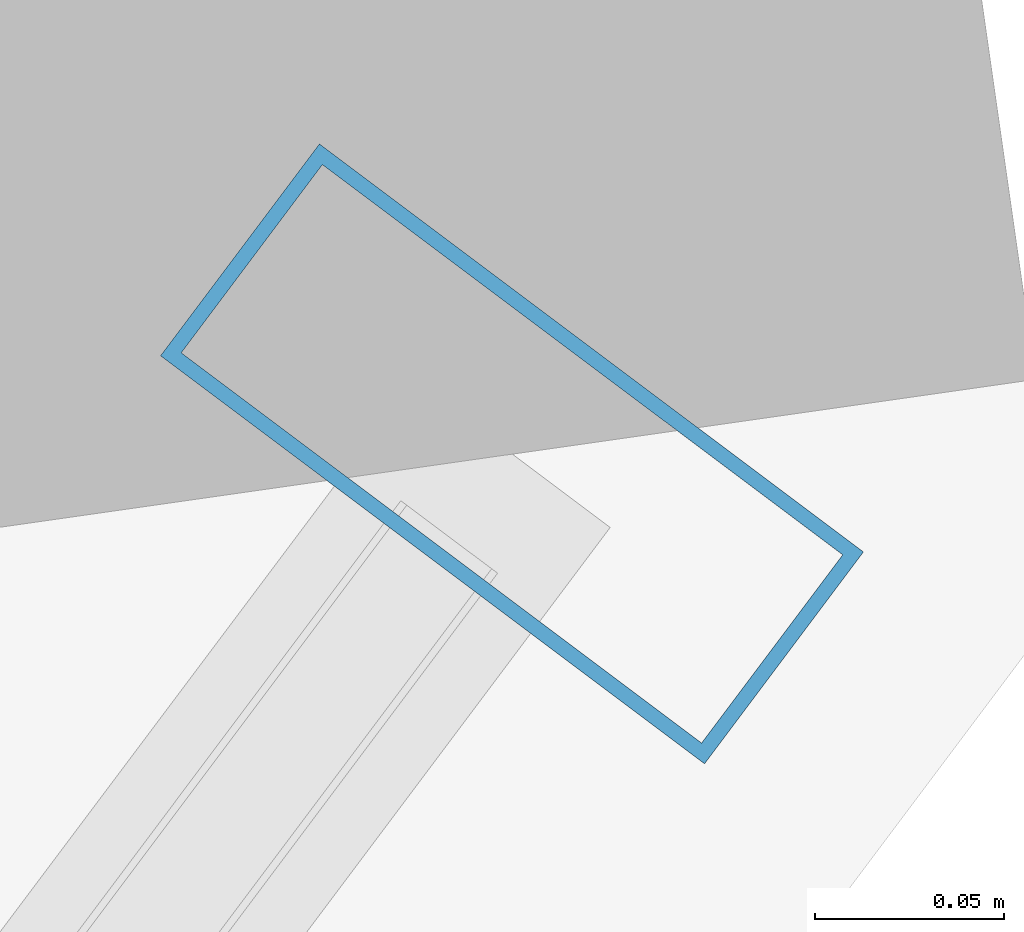
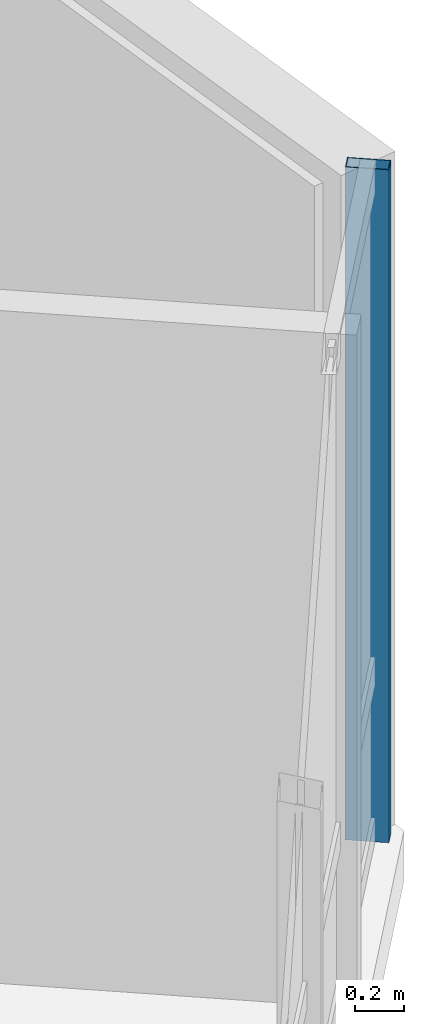
# One storey, part 16 of 27: 1 member, 1 element without a shape of its own.
"""IFC4 building model written with IfcOpenShell, lengths in metres."""

import ifcopenshell
import ifcopenshell.guid

model = None  # the IFC model being written
_history = None  # IfcOwnerHistory: only IFC2X3 demands one
_inside = {}  # id of a spatial element -> (the spatial element, [elements in it])
_under = {}  # id of a project, library or spatial element -> (it, [spatial elements below it])
_declared = {}  # id of a project -> (the project, [libraries it declares])
_typed = {}  # id of a type object -> (the type object, [elements of that type])
_made_of = {}  # id of a material, layer set ... -> (it, [elements and type objects made of it])


def new_model(schema):
    """Start an empty IFC model of exactly this schema.

    Asked for "IFC4X3", IfcOpenShell would pick the latest addendum, in which some entities
    have other attributes; the version numbers below select the first issue.
    IFC2X3 requires an IfcOwnerHistory on every rooted entity: one is made here for all.
    """
    global model, _history
    if schema == "IFC4X3":
        model = ifcopenshell.file(schema_version=(4, 3, 0, 0))
    else:
        model = ifcopenshell.file(schema=schema)
    _inside.clear()
    _under.clear()
    _declared.clear()
    _typed.clear()
    _made_of.clear()
    _history = None
    if model.schema == "IFC2X3":
        org = make("IfcOrganization", Name="unknown")
        user = make(
            "IfcPersonAndOrganization",
            ThePerson=make("IfcPerson", FamilyName="unknown"),
            TheOrganization=org,
        )
        app = make(
            "IfcApplication",
            ApplicationDeveloper=org,
            Version="unknown",
            ApplicationFullName="unknown",
            ApplicationIdentifier="unknown",
        )
        _history = make(
            "IfcOwnerHistory",
            OwningUser=user,
            OwningApplication=app,
            ChangeAction="ADDED",
            CreationDate=0,
        )
    return model


def make(cls, **values):
    """One entity of the class cls with the attributes given. An attribute that is None is left unset."""
    return model.create_entity(
        cls, **{name: value for name, value in values.items() if value is not None}
    )


def rooted(cls, **values):
    """An entity with a GlobalId (a new one), such as an element, a storey or a relation."""
    return make(cls, GlobalId=ifcopenshell.guid.new(), OwnerHistory=_history, **values)


def si_unit(unit_type, name, prefix=None):
    """IfcSIUnit, for example si_unit("LENGTHUNIT", "METRE", prefix="MILLI")."""
    return make("IfcSIUnit", UnitType=unit_type, Prefix=prefix, Name=name)


def assignment(units):
    """IfcUnitAssignment: the units of a project."""
    return None if units is None else make("IfcUnitAssignment", Units=units)


def point(xyz):
    """IfcCartesianPoint."""
    return None if xyz is None else make("IfcCartesianPoint", Coordinates=xyz)


def direction(xyz):
    """IfcDirection."""
    return None if xyz is None else make("IfcDirection", DirectionRatios=xyz)


def frame(location, z_axis=None, x_axis=None):
    """IfcAxis2Placement3D, a coordinate frame: its origin and axes. An axis left out is left unset."""
    return make(
        "IfcAxis2Placement3D",
        Location=point(location),
        Axis=direction(z_axis),
        RefDirection=direction(x_axis),
    )


def frame_2d(location, x_axis=None):
    """IfcAxis2Placement2D, a coordinate frame in the plane: its origin and x axis."""
    return make(
        "IfcAxis2Placement2D", Location=point(location), RefDirection=direction(x_axis)
    )


def origin():
    """The frame at (0, 0, 0) with its axes left unset."""
    return frame((0.0, 0.0, 0.0))


def origin_2d():
    """The frame at (0, 0) in the plane with its x axis left unset."""
    return frame_2d((0.0, 0.0))


def place(relative_to, where):
    """IfcLocalPlacement: puts the frame where relative to a parent placement (None: the world)."""
    return make(
        "IfcLocalPlacement", PlacementRelTo=relative_to, RelativePlacement=where
    )


def context(
    kind, dimensions, precision=None, world=None, true_north=None, identifier=None
):
    """IfcGeometricRepresentationContext, for example the 3D "Model" context."""
    return make(
        "IfcGeometricRepresentationContext",
        ContextIdentifier=identifier,
        ContextType=kind,
        CoordinateSpaceDimension=dimensions,
        Precision=precision,
        WorldCoordinateSystem=world,
        TrueNorth=true_north,
    )


def subcontext(parent, identifier, kind, view, scale=None):
    """IfcGeometricRepresentationSubContext, for example "Body" below "Model"."""
    return make(
        "IfcGeometricRepresentationSubContext",
        ContextIdentifier=identifier,
        ContextType=kind,
        ParentContext=parent,
        TargetScale=scale,
        TargetView=view,
    )


def project(units=None, contexts=None):
    """IfcProject with its units and contexts."""
    return rooted(
        "IfcProject",
        Name="project",
        RepresentationContexts=contexts,
        UnitsInContext=assignment(units),
    )


def spatial(cls, under=None, at=None, **own):
    """A site, building, storey or space (cls), placed at a placement, below another one or the project."""
    s = rooted(cls, ObjectPlacement=at, **own)
    if under is not None:
        _under.setdefault(under.id(), (under, []))[1].append(s)
    return s


def profile(cls, at=None, kind="AREA", **sizes):
    """A parametric profile (cls). Its sizes go by their IFC names, for example OverallWidth=200.0."""
    return make(cls, ProfileType=kind, Position=at, **sizes)


def hollow_rectangle(**sizes):
    """IfcRectangleHollowProfileDef."""
    return profile("IfcRectangleHollowProfileDef", **sizes)


def extrude(swept, where, along, depth):
    """IfcExtrudedAreaSolid: the profile swept, set in the frame where, extruded along a direction by depth."""
    return make(
        "IfcExtrudedAreaSolid",
        SweptArea=swept,
        Position=where,
        ExtrudedDirection=direction(along),
        Depth=depth,
    )


def shape(context_of_items, identifier, shape_type, items):
    """IfcShapeRepresentation: the items that make up one representation, for example the "Body"."""
    return make(
        "IfcShapeRepresentation",
        ContextOfItems=context_of_items,
        RepresentationIdentifier=identifier,
        RepresentationType=shape_type,
        Items=items,
    )


def material(Name=None, Category=None):
    """IfcMaterial."""
    return make("IfcMaterial", Name=Name, Category=Category)


def layer(
    of_material, thickness, ventilated=None, Name=None, Category=None, Priority=None
):
    """IfcMaterialLayer: one layer of a wall or slab, of a material (None: an air gap)."""
    return make(
        "IfcMaterialLayer",
        Material=of_material,
        LayerThickness=thickness,
        IsVentilated=ventilated,
        Name=Name,
        Category=Category,
        Priority=Priority,
    )


def layer_set(layers, Name=None):
    """IfcMaterialLayerSet."""
    return make("IfcMaterialLayerSet", MaterialLayers=layers, LayerSetName=Name)


def material_profile(
    of_material, cross_section, Name=None, Category=None, Priority=None
):
    """IfcMaterialProfile: a cross section and its material."""
    return make(
        "IfcMaterialProfile",
        Name=Name,
        Material=of_material,
        Profile=cross_section,
        Priority=Priority,
        Category=Category,
    )


def profile_set(profiles, Name=None, composite=None):
    """IfcMaterialProfileSet."""
    return make(
        "IfcMaterialProfileSet",
        Name=Name,
        MaterialProfiles=profiles,
        CompositeProfile=composite,
    )


def made_of(thing, what):
    """Note that an element or type object is made of a material, layer set ...; save() writes the relation."""
    if what is not None:
        _made_of.setdefault(what.id(), (what, []))[1].append(thing)
    return thing


def type_object(cls, material=None, **own):
    """A type object (cls), such as IfcWallType, which elements share."""
    return made_of(rooted(cls, **own), material)


def element(
    cls,
    number,
    at=None,
    inside=None,
    cuts=None,
    type_object=None,
    material=None,
    context=None,
    identifier="Body",
    shape_type=None,
    held_by="IfcProductDefinitionShape",
    body=None,
    shapes=None,
    **own,
):
    """One element of the class cls, such as IfcWall. Its Tag is "e" and its number.

    at: its placement. inside: the storey or other place that contains it. cuts: it is an
    opening in that element (IfcRelVoidsElement). A single representation is given by context,
    identifier, shape_type and body (its items); several are given by shapes. held_by: the class
    of the entity that holds the representations. save() writes the other relations.
    """
    e = rooted(cls, Tag="e%d" % number, ObjectPlacement=at, **own)
    if body is not None:
        shapes = [shape(context, identifier, shape_type, body)]
    if shapes is not None:
        e.Representation = make(held_by, Representations=shapes)
    if inside is not None:
        _inside.setdefault(inside.id(), (inside, []))[1].append(e)
    if cuts is not None:
        rooted(
            "IfcRelVoidsElement", RelatingBuildingElement=cuts, RelatedOpeningElement=e
        )
    if type_object is not None:
        _typed.setdefault(type_object.id(), (type_object, []))[1].append(e)
    return made_of(e, material)


def aggregate(whole, parts):
    """IfcRelAggregates: a whole, such as a stair, and the parts it consists of."""
    return rooted("IfcRelAggregates", RelatingObject=whole, RelatedObjects=parts)


def save(model, path):
    """Write the relations noted so far, then the file.

    IfcRelAggregates (storeys below a building ...), IfcRelContainedInSpatialStructure (elements
    in a storey), IfcRelDefinesByType, IfcRelAssociatesMaterial and IfcRelDeclares: one each for
    every whole, place, type object, material and project.
    """
    for whole, parts in _under.values():
        aggregate(whole, parts)
    for where, things in _inside.values():
        rooted(
            "IfcRelContainedInSpatialStructure",
            RelatedElements=things,
            RelatingStructure=where,
        )
    for kind, things in _typed.values():
        rooted("IfcRelDefinesByType", RelatedObjects=things, RelatingType=kind)
    for what, things in _made_of.values():
        rooted("IfcRelAssociatesMaterial", RelatedObjects=things, RelatingMaterial=what)
    for by, libraries in _declared.values():
        rooted("IfcRelDeclares", RelatingContext=by, RelatedDefinitions=libraries)
    model.write(path)


model = new_model("IFC4")

# Units and contexts
model_context = context("Model", 3, precision=1e-05, world=origin(), true_north=direction((0.0, 1.0)))
body_context = subcontext(model_context, "Body", "Model", "MODEL_VIEW")
ifc_project = project(units=[si_unit("LENGTHUNIT", "METRE"), si_unit("AREAUNIT", "SQUARE_METRE"), si_unit("VOLUMEUNIT", "CUBIC_METRE"), si_unit("PLANEANGLEUNIT", "RADIAN"), si_unit("MASSUNIT", "GRAM", prefix="KILO")], contexts=[model_context])

# Site, building, storey
site_placement = place(None, origin())
site = spatial("IfcSite", under=ifc_project, at=site_placement, CompositionType="ELEMENT")
building_placement = place(site_placement, origin())
building = spatial("IfcBuilding", under=site, at=building_placement, Name="Hatsunagi Terrace Concourse", CompositionType="ELEMENT")
storey_placement = place(building_placement, frame((0.0, 0.0, 167.25)))
storey = spatial("IfcBuildingStorey", under=building, at=storey_placement, Name="L44", CompositionType="ELEMENT", Elevation=167.25)

# Curtain wall, member
ifc_material_1 = material(Name="Anodised Aluminium Alloy 6063-T5", Category="aluminium")
ifc_layer = layer(ifc_material_1, 0.199951171875)
ifc_layer_set = layer_set([ifc_layer], Name="OfficeZone1_CW03")
curtain_wall_type = type_object("IfcCurtainWallType", Name="OfficeZone1_CW03", PredefinedType="NOTDEFINED", material=ifc_layer_set)
curtain_wall_placement = place(storey_placement, origin())
curtain_wall = element("IfcCurtainWall", 1, at=curtain_wall_placement, inside=storey, type_object=curtain_wall_type, Name="Unitised Curtain Wall CW-03 CW-L44-03", PredefinedType="NOTDEFINED")
ifc_material_2 = material(Name="Anodised Aluminium Alloy 6063-T5", Category="aluminium")
ifc_material_profile = material_profile(ifc_material_2, hollow_rectangle(XDim=0.070068359375, YDim=0.179931640625, WallThickness=0.00390625, at=origin_2d()), Name="ALU-MUL-180x70x4")
ifc_profile_set = profile_set([ifc_material_profile], Name="Anodised Aluminium Alloy 6063-T5")
member_type = type_object("IfcMemberType", Name="CurtainWallMullion_180x70", PredefinedType="MULLION", material=ifc_profile_set)
member_placement = place(storey_placement, frame((60.693115234375, 25.9580078125, 0.0), z_axis=(0.0, 0.0, 1.0), x_axis=(-0.599969314634, -0.800023013105, 0.0)))
member = element("IfcMember", 2, at=member_placement, type_object=member_type, Name="Curtain Wall Mullion MUL-02", PredefinedType="MULLION", context=body_context, shape_type="SweptSolid", body=[
    extrude(hollow_rectangle(XDim=0.070068359375, YDim=0.179931640625, WallThickness=0.00390625, at=origin_2d()), origin(), (0.0, 0.0, 1.0), 3.35009765625),
])
aggregate(curtain_wall, [member])

save(model, "model.ifc")
